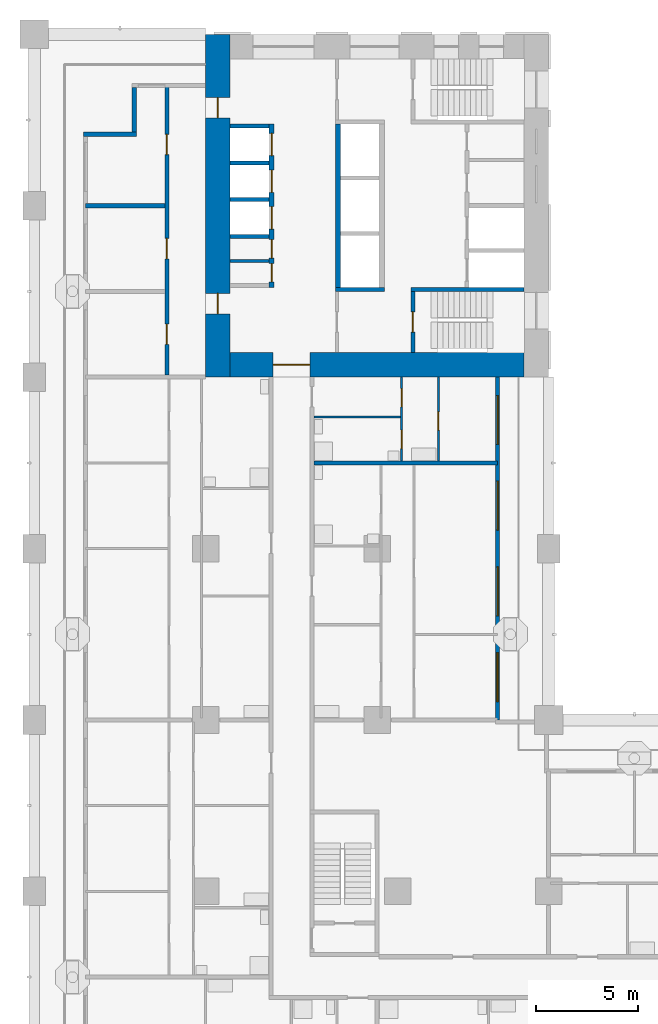
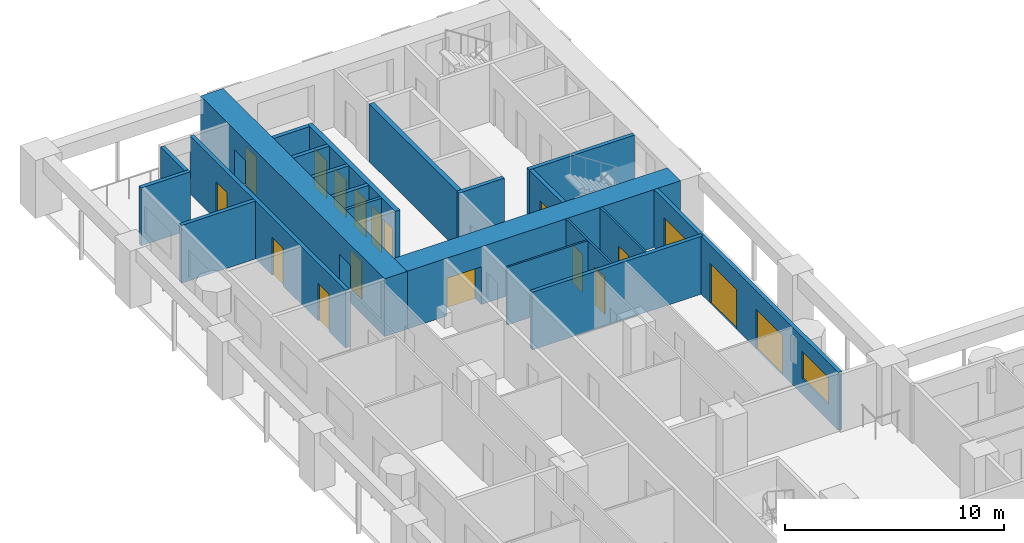
# One storey, part 8 of 20: 21 walls, 18 doors, 1 window, 19 openings.
"""IFC4 building model written with IfcOpenShell, lengths in metres."""

from ifc_helpers import new_model, si_unit, direction, frame, frame_2d, origin, place, context, subcontext, project, spatial, rectangle, extrude, material, layer, layer_set, type_object, element, fill, save


model = new_model("IFC4")

# Units and contexts
model_context = context("Model", 3, precision=1e-05, world=origin(), true_north=direction((0.0, 1.0)))
body_context = subcontext(model_context, "Body", "Model", "MODEL_VIEW")
ifc_project = project(units=[si_unit("LENGTHUNIT", "METRE"), si_unit("AREAUNIT", "SQUARE_METRE"), si_unit("VOLUMEUNIT", "CUBIC_METRE"), si_unit("PLANEANGLEUNIT", "RADIAN"), si_unit("MASSUNIT", "GRAM", prefix="KILO")], contexts=[model_context])

# Site, building, storey
site_placement = place(None, origin())
site = spatial("IfcSite", under=ifc_project, at=site_placement, CompositionType="ELEMENT")
building_placement = place(site_placement, origin())
building = spatial("IfcBuilding", under=site, at=building_placement, Name="Vermilion Gate Residences", CompositionType="ELEMENT")
storey_placement = place(building_placement, frame((0.0, 0.0, 35.699951171875)))
storey = spatial("IfcBuildingStorey", under=building, at=storey_placement, Name="L07", CompositionType="ELEMENT", Elevation=35.699951171875)

# Walls
ifc_material_1 = material(Name="Masonry blockwork", Category="masonry")
ifc_layer_1 = layer(ifc_material_1, 0.14990234375)
ifc_layer_set_1 = layer_set([ifc_layer_1], Name="BLOCKWORK PARTITION 150 EI 120")
wall_type_1 = type_object("IfcWallType", Name="BLOCKWORK PARTITION 150 EI 120", PredefinedType="PARTITIONING", material=ifc_layer_set_1)
wall_1_placement = place(storey_placement, frame((9.60009765625, 47.699951171875, 0.0), z_axis=(0.0, 0.0, 1.0), x_axis=(1.0, 0.0, 0.0)))
element("IfcWall", 1, at=wall_1_placement, inside=storey, type_object=wall_type_1, Name="Core room partition B07-SR-P0", PredefinedType="PARTITIONING", context=body_context, shape_type="SweptSolid", body=[
    extrude(rectangle(XDim=1.89990234375, YDim=0.14990234375, at=frame_2d((0.949951171875, 0.0))), origin(), (0.0, 0.0, 1.0), 3.219970703125),
])
ifc_material_2 = material(Name="Insulated steel stud wall with terracotta rainscreen", Category="masonry")
ifc_layer_2 = layer(ifc_material_2, 0.199951171875)
ifc_layer_set_2 = layer_set([ifc_layer_2], Name="EXTERNAL WALL 200 TERRACOTTA RAINSCREEN")
wall_type_2 = type_object("IfcWallType", Name="EXTERNAL WALL 200 TERRACOTTA RAINSCREEN", PredefinedType="SOLIDWALL", material=ifc_layer_set_2)
wall_2_placement = place(storey_placement, frame((4.89990234375, 56.199951171875, 0.0), z_axis=(0.0, 0.0, 1.0), x_axis=(0.0, -1.0, 0.0)))
element("IfcWall", 2, at=wall_2_placement, inside=storey, type_object=wall_type_2, Name="External wall", PredefinedType="SOLIDWALL", context=body_context, shape_type="SweptSolid", body=[
    extrude(rectangle(XDim=2.199951171875, YDim=0.199951171875, at=frame_2d((1.10009765625, 0.0))), origin(), (0.0, 0.0, 1.0), 3.219970703125),
])
wall_3_placement = place(storey_placement, frame((5.0, 53.89990234375, 0.0), z_axis=(0.0, 0.0, 1.0), x_axis=(-1.0, 0.0, 0.0)))
element("IfcWall", 3, at=wall_3_placement, inside=storey, type_object=wall_type_2, Name="External wall", PredefinedType="SOLIDWALL", context=body_context, shape_type="SweptSolid", body=[
    extrude(rectangle(XDim=2.60009765625, YDim=0.199951171875, at=frame_2d((1.300048828125, 0.0))), origin(), (0.0, 0.0, 1.0), 3.219970703125),
])

# Wall, openings, doors, window
wall_4_placement = place(storey_placement, frame((22.699951171875, 25.199951171875, 0.0), z_axis=(0.0, 0.0, 1.0), x_axis=(0.0, 1.0, 0.0)))
wall_4 = element("IfcWall", 4, at=wall_4_placement, inside=storey, type_object=wall_type_2, Name="External wall", PredefinedType="SOLIDWALL", context=body_context, shape_type="SweptSolid", body=[
    extrude(rectangle(XDim=16.800048828125, YDim=0.199951171875, at=frame_2d((8.39990234375, 0.0))), origin(), (0.0, 0.0, 1.0), 3.219970703125),
])
opening_1_placement = place(wall_4_placement, frame((0.89990234375, 0.0, 0.89990234375)))
opening_1 = element("IfcOpeningElement", 5, at=opening_1_placement, cuts=wall_4, Name="Opening WE07037", PredefinedType="OPENING", context=body_context, shape_type="SweptSolid", body=[
    extrude(rectangle(XDim=2.39990234375, YDim=1.5, at=frame_2d((1.199951171875, 0.75))), frame((0.0, 0.10986328125, 0.0), z_axis=(0.0, -1.0, 0.0), x_axis=(1.0, 0.0, 0.0)), (0.0, 0.0, 1.0), 0.219970703125),
])
opening_2_placement = place(wall_4_placement, frame((5.10009765625, 0.0, 0.0)))
opening_2 = element("IfcOpeningElement", 6, at=opening_2_placement, cuts=wall_4, Name="Opening DE07038", PredefinedType="OPENING", context=body_context, shape_type="SweptSolid", body=[
    extrude(rectangle(XDim=2.39990234375, YDim=2.199951171875, at=frame_2d((1.199951171875, 1.10009765625))), frame((0.0, 0.10986328125, 0.0), z_axis=(0.0, -1.0, 0.0), x_axis=(1.0, 0.0, 0.0)), (0.0, 0.0, 1.0), 0.219970703125),
])
opening_3_placement = place(wall_4_placement, frame((9.300048828125, 0.0, 0.0)))
opening_3 = element("IfcOpeningElement", 7, at=opening_3_placement, cuts=wall_4, Name="Opening DE07039", PredefinedType="OPENING", context=body_context, shape_type="SweptSolid", body=[
    extrude(rectangle(XDim=2.39990234375, YDim=2.199951171875, at=frame_2d((1.199951171875, 1.10009765625))), frame((0.0, 0.10986328125, 0.0), z_axis=(0.0, -1.0, 0.0), x_axis=(1.0, 0.0, 0.0)), (0.0, 0.0, 1.0), 0.219970703125),
])
opening_4_placement = place(wall_4_placement, frame((13.5, 0.0, 0.0)))
opening_4 = element("IfcOpeningElement", 8, at=opening_4_placement, cuts=wall_4, Name="Opening DE07040", PredefinedType="OPENING", context=body_context, shape_type="SweptSolid", body=[
    extrude(rectangle(XDim=2.39990234375, YDim=2.199951171875, at=frame_2d((1.199951171875, 1.10009765625))), frame((0.0, 0.10986328125, 0.0), z_axis=(0.0, -1.0, 0.0), x_axis=(1.0, 0.0, 0.0)), (0.0, 0.0, 1.0), 0.219970703125),
])
ifc_material_3 = material(Name="Aluminium and clear glass", Category="aluminium")
door_type_1 = type_object("IfcDoorType", Name="SLIDING GLAZED DOOR 2400 X 2200", OperationType="DOUBLE_DOOR_SLIDING", PredefinedType="DOOR", material=ifc_material_3)
door_1_placement = place(opening_2_placement, origin())
door_1 = element("IfcDoor", 9, at=door_1_placement, inside=storey, type_object=door_type_1, Name="Loggia sliding door", OperationType="DOUBLE_DOOR_SLIDING", OverallHeight=2.199951171875, OverallWidth=2.39990234375, PredefinedType="DOOR", context=body_context, shape_type="SweptSolid", body=[
    extrude(rectangle(XDim=2.39990234375, YDim=2.199951171875, at=frame_2d((1.199951171875, 1.10009765625))), frame((0.0, 0.02490234375, 0.0), z_axis=(0.0, -1.0, 0.0), x_axis=(1.0, 0.0, 0.0)), (0.0, 0.0, 1.0), 0.050048828125),
])
fill(opening_2, door_1)
door_2_placement = place(opening_3_placement, origin())
door_2 = element("IfcDoor", 10, at=door_2_placement, inside=storey, type_object=door_type_1, Name="Loggia sliding door", OperationType="DOUBLE_DOOR_SLIDING", OverallHeight=2.199951171875, OverallWidth=2.39990234375, PredefinedType="DOOR", context=body_context, shape_type="SweptSolid", body=[
    extrude(rectangle(XDim=2.39990234375, YDim=2.199951171875, at=frame_2d((1.199951171875, 1.10009765625))), frame((0.0, 0.02490234375, 0.0), z_axis=(0.0, -1.0, 0.0), x_axis=(1.0, 0.0, 0.0)), (0.0, 0.0, 1.0), 0.050048828125),
])
fill(opening_3, door_2)
door_3_placement = place(opening_4_placement, origin())
door_3 = element("IfcDoor", 11, at=door_3_placement, inside=storey, type_object=door_type_1, Name="Loggia sliding door", OperationType="DOUBLE_DOOR_SLIDING", OverallHeight=2.199951171875, OverallWidth=2.39990234375, PredefinedType="DOOR", context=body_context, shape_type="SweptSolid", body=[
    extrude(rectangle(XDim=2.39990234375, YDim=2.199951171875, at=frame_2d((1.199951171875, 1.10009765625))), frame((0.0, 0.02490234375, 0.0), z_axis=(0.0, -1.0, 0.0), x_axis=(1.0, 0.0, 0.0)), (0.0, 0.0, 1.0), 0.050048828125),
])
fill(opening_4, door_3)
ifc_material_4 = material(Name="Aluminium and clear glass", Category="aluminium")
window_type = type_object("IfcWindowType", Name="WINDOW 2400 X 1500", PartitioningType="SINGLE_PANEL", PredefinedType="WINDOW", material=ifc_material_4)
window_placement = place(opening_1_placement, origin())
window = element("IfcWindow", 12, at=window_placement, inside=storey, type_object=window_type, Name="Window", OverallHeight=1.5, OverallWidth=2.39990234375, PartitioningType="SINGLE_PANEL", PredefinedType="WINDOW", context=body_context, shape_type="SweptSolid", body=[
    extrude(rectangle(XDim=2.39990234375, YDim=1.5, at=frame_2d((1.199951171875, 0.75))), frame((0.0, 0.030029296875, 0.0), z_axis=(0.0, -1.0, 0.0), x_axis=(1.0, 0.0, 0.0)), (0.0, 0.0, 1.0), 0.06005859375),
])
fill(opening_1, window)

# Wall
ifc_material_5 = material(Name="Plasterboard on steel studs", Category="steel")
ifc_layer_3 = layer(ifc_material_5, 0.10009765625)
ifc_layer_set_3 = layer_set([ifc_layer_3], Name="PARTITION 100")
wall_type_3 = type_object("IfcWallType", Name="PARTITION 100", PredefinedType="PARTITIONING", material=ifc_layer_set_3)
wall_5_placement = place(storey_placement, frame((13.699951171875, 40.0400390625, 0.0), z_axis=(0.0, 0.0, 1.0), x_axis=(1.0, 0.0, 0.0)))
element("IfcWall", 13, at=wall_5_placement, inside=storey, type_object=wall_type_3, Name="Partition", PredefinedType="PARTITIONING", context=body_context, shape_type="SweptSolid", body=[
    extrude(rectangle(XDim=4.25, YDim=0.10009765625, at=frame_2d((2.125, 0.0))), origin(), (0.0, 0.0, 1.0), 3.219970703125),
])

# Wall, openings, doors
wall_6_placement = place(storey_placement, frame((18.0, 37.89990234375, 0.0), z_axis=(0.0, 0.0, 1.0), x_axis=(0.0, 1.0, 0.0)))
wall_6 = element("IfcWall", 14, at=wall_6_placement, inside=storey, type_object=wall_type_3, Name="Partition", PredefinedType="PARTITIONING", context=body_context, shape_type="SweptSolid", body=[
    extrude(rectangle(XDim=4.10009765625, YDim=0.10009765625, at=frame_2d((2.050048828125, 0.0))), origin(), (0.0, 0.0, 1.0), 3.219970703125),
])
opening_5_placement = place(wall_6_placement, frame((2.639892578125, 0.0, 0.0)))
opening_5 = element("IfcOpeningElement", 15, at=opening_5_placement, cuts=wall_6, Name="Opening DA07060", PredefinedType="OPENING", context=body_context, shape_type="SweptSolid", body=[
    extrude(rectangle(XDim=0.89990234375, YDim=2.10009765625, at=frame_2d((0.449951171875, 1.050048828125))), frame((0.0, 0.06005859375, 0.0), z_axis=(0.0, -1.0, 0.0), x_axis=(1.0, 0.0, 0.0)), (0.0, 0.0, 1.0), 0.1201171875),
])
opening_6_placement = place(wall_6_placement, frame((0.60009765625, 0.0, 0.0)))
opening_6 = element("IfcOpeningElement", 16, at=opening_6_placement, cuts=wall_6, Name="Opening DA07061", PredefinedType="OPENING", context=body_context, shape_type="SweptSolid", body=[
    extrude(rectangle(XDim=0.89990234375, YDim=2.10009765625, at=frame_2d((0.449951171875, 1.050048828125))), frame((0.0, 0.06005859375, 0.0), z_axis=(0.0, -1.0, 0.0), x_axis=(1.0, 0.0, 0.0)), (0.0, 0.0, 1.0), 0.1201171875),
])
ifc_material_6 = material(Name="Timber", Category="wood")
door_type_2 = type_object("IfcDoorType", Name="INTERIOR DOOR 900 X 2100", OperationType="SINGLE_SWING_LEFT", PredefinedType="DOOR", material=ifc_material_6)
door_4_placement = place(opening_5_placement, frame((0.89990234375, 0.0, 0.0), z_axis=(0.0, 0.0, 1.0), x_axis=(-1.0, 0.0, 0.0)))
door_4 = element("IfcDoor", 17, at=door_4_placement, inside=storey, type_object=door_type_2, Name="Interior door", OperationType="SINGLE_SWING_LEFT", OverallHeight=2.10009765625, OverallWidth=0.89990234375, PredefinedType="DOOR", context=body_context, shape_type="SweptSolid", body=[
    extrude(rectangle(XDim=0.89990234375, YDim=2.10009765625, at=frame_2d((0.449951171875, 1.050048828125))), frame((0.0, 0.02490234375, 0.0), z_axis=(0.0, -1.0, 0.0), x_axis=(1.0, 0.0, 0.0)), (0.0, 0.0, 1.0), 0.050048828125),
])
fill(opening_5, door_4)
door_5_placement = place(opening_6_placement, frame((0.89990234375, 0.0, 0.0), z_axis=(0.0, 0.0, 1.0), x_axis=(-1.0, 0.0, 0.0)))
door_5 = element("IfcDoor", 18, at=door_5_placement, inside=storey, type_object=door_type_2, Name="Interior door", OperationType="SINGLE_SWING_RIGHT", OverallHeight=2.10009765625, OverallWidth=0.89990234375, PredefinedType="DOOR", context=body_context, shape_type="SweptSolid", body=[
    extrude(rectangle(XDim=0.89990234375, YDim=2.10009765625, at=frame_2d((0.449951171875, 1.050048828125))), frame((0.0, 0.02490234375, 0.0), z_axis=(0.0, -1.0, 0.0), x_axis=(1.0, 0.0, 0.0)), (0.0, 0.0, 1.0), 0.050048828125),
])
fill(opening_6, door_5)

# Wall, opening, door
wall_7_placement = place(storey_placement, frame((19.800048828125, 37.89990234375, 0.0), z_axis=(0.0, 0.0, 1.0), x_axis=(0.0, 1.0, 0.0)))
wall_7 = element("IfcWall", 19, at=wall_7_placement, inside=storey, type_object=wall_type_3, Name="Partition", PredefinedType="PARTITIONING", context=body_context, shape_type="SweptSolid", body=[
    extrude(rectangle(XDim=4.10009765625, YDim=0.10009765625, at=frame_2d((2.050048828125, 0.0))), origin(), (0.0, 0.0, 1.0), 3.219970703125),
])
opening_7_placement = place(wall_7_placement, frame((1.5, 0.0, 0.0)))
opening_7 = element("IfcOpeningElement", 20, at=opening_7_placement, cuts=wall_7, Name="Opening DA07064", PredefinedType="OPENING", context=body_context, shape_type="SweptSolid", body=[
    extrude(rectangle(XDim=0.89990234375, YDim=2.10009765625, at=frame_2d((0.449951171875, 1.050048828125))), frame((0.0, 0.06005859375, 0.0), z_axis=(0.0, -1.0, 0.0), x_axis=(1.0, 0.0, 0.0)), (0.0, 0.0, 1.0), 0.1201171875),
])
door_6_placement = place(opening_7_placement, origin())
door_6 = element("IfcDoor", 21, at=door_6_placement, inside=storey, type_object=door_type_2, Name="Interior door", OperationType="SINGLE_SWING_LEFT", OverallHeight=2.10009765625, OverallWidth=0.89990234375, PredefinedType="DOOR", context=body_context, shape_type="SweptSolid", body=[
    extrude(rectangle(XDim=0.89990234375, YDim=2.10009765625, at=frame_2d((0.449951171875, 1.050048828125))), frame((0.0, 0.02490234375, 0.0), z_axis=(0.0, -1.0, 0.0), x_axis=(1.0, 0.0, 0.0)), (0.0, 0.0, 1.0), 0.050048828125),
])
fill(opening_7, door_6)

# Walls
ifc_material_7 = material(Name="Fire-rated plasterboard on steel studs", Category="steel")
ifc_layer_4 = layer(ifc_material_7, 0.199951171875)
ifc_layer_set_4 = layer_set([ifc_layer_4], Name="PARTY WALL 200 EI 120")
wall_type_4 = type_object("IfcWallType", Name="PARTY WALL 200 EI 120", PredefinedType="PARTITIONING", material=ifc_layer_set_4)
wall_8_placement = place(storey_placement, frame((13.699951171875, 37.800048828125, 0.0), z_axis=(0.0, 0.0, 1.0), x_axis=(1.0, 0.0, 0.0)))
element("IfcWall", 22, at=wall_8_placement, inside=storey, type_object=wall_type_4, Name="Party and corridor wall", PredefinedType="PARTITIONING", context=body_context, shape_type="SweptSolid", body=[
    extrude(rectangle(XDim=9.0, YDim=0.199951171875, at=frame_2d((4.5, 0.0))), origin(), (0.0, 0.0, 1.0), 3.219970703125),
])
wall_9_placement = place(storey_placement, frame((2.5, 50.39990234375, 0.0), z_axis=(0.0, 0.0, 1.0), x_axis=(1.0, 0.0, 0.0)))
element("IfcWall", 23, at=wall_9_placement, inside=storey, type_object=wall_type_4, Name="Party and corridor wall", PredefinedType="PARTITIONING", context=body_context, shape_type="SweptSolid", body=[
    extrude(rectangle(XDim=3.89990234375, YDim=0.199951171875, at=frame_2d((1.949951171875, 0.0))), origin(), (0.0, 0.0, 1.0), 3.219970703125),
])

# Wall, openings, doors
wall_10_placement = place(storey_placement, frame((6.5, 42.10009765625, 0.0), z_axis=(0.0, 0.0, 1.0), x_axis=(0.0, 1.0, 0.0)))
wall_10 = element("IfcWall", 24, at=wall_10_placement, inside=storey, type_object=wall_type_4, Name="Party and corridor wall", PredefinedType="PARTITIONING", context=body_context, shape_type="SweptSolid", body=[
    extrude(rectangle(XDim=14.199951171875, YDim=0.199951171875, at=frame_2d((7.10009765625, 0.0))), origin(), (0.0, 0.0, 1.0), 3.219970703125),
])
opening_8_placement = place(wall_10_placement, frame((1.5, 0.0, 0.0)))
opening_8 = element("IfcOpeningElement", 25, at=opening_8_placement, cuts=wall_10, Name="Opening DA07036", PredefinedType="OPENING", context=body_context, shape_type="SweptSolid", body=[
    extrude(rectangle(XDim=1.0, YDim=2.10009765625, at=frame_2d((0.5, 1.050048828125))), frame((0.0, 0.10986328125, 0.0), z_axis=(0.0, -1.0, 0.0), x_axis=(1.0, 0.0, 0.0)), (0.0, 0.0, 1.0), 0.219970703125),
])
opening_9_placement = place(wall_10_placement, frame((5.699951171875, 0.0, 0.0)))
opening_9 = element("IfcOpeningElement", 26, at=opening_9_placement, cuts=wall_10, Name="Opening DA07037", PredefinedType="OPENING", context=body_context, shape_type="SweptSolid", body=[
    extrude(rectangle(XDim=1.0, YDim=2.10009765625, at=frame_2d((0.5, 1.050048828125))), frame((0.0, 0.10986328125, 0.0), z_axis=(0.0, -1.0, 0.0), x_axis=(1.0, 0.0, 0.0)), (0.0, 0.0, 1.0), 0.219970703125),
])
opening_10_placement = place(wall_10_placement, frame((10.800048828125, 0.0, 0.0)))
opening_10 = element("IfcOpeningElement", 27, at=opening_10_placement, cuts=wall_10, Name="Opening DA07038", PredefinedType="OPENING", context=body_context, shape_type="SweptSolid", body=[
    extrude(rectangle(XDim=1.0, YDim=2.10009765625, at=frame_2d((0.5, 1.050048828125))), frame((0.0, 0.10986328125, 0.0), z_axis=(0.0, -1.0, 0.0), x_axis=(1.0, 0.0, 0.0)), (0.0, 0.0, 1.0), 0.219970703125),
])
ifc_material_8 = material(Name="Steel", Category="steel")
door_type_3 = type_object("IfcDoorType", Name="ENTRANCE DOOR 1000 X 2100 FD30", OperationType="SINGLE_SWING_LEFT", PredefinedType="DOOR", material=ifc_material_8)
door_7_placement = place(opening_8_placement, origin())
door_7 = element("IfcDoor", 28, at=door_7_placement, inside=storey, type_object=door_type_3, Name="Entrance door", OperationType="SINGLE_SWING_LEFT", OverallHeight=2.10009765625, OverallWidth=1.0, PredefinedType="DOOR", context=body_context, shape_type="SweptSolid", body=[
    extrude(rectangle(XDim=1.0, YDim=2.10009765625, at=frame_2d((0.5, 1.050048828125))), frame((0.0, 0.02490234375, 0.0), z_axis=(0.0, -1.0, 0.0), x_axis=(1.0, 0.0, 0.0)), (0.0, 0.0, 1.0), 0.050048828125),
])
fill(opening_8, door_7)
door_8_placement = place(opening_9_placement, origin())
door_8 = element("IfcDoor", 29, at=door_8_placement, inside=storey, type_object=door_type_3, Name="Entrance door", OperationType="SINGLE_SWING_RIGHT", OverallHeight=2.10009765625, OverallWidth=1.0, PredefinedType="DOOR", context=body_context, shape_type="SweptSolid", body=[
    extrude(rectangle(XDim=1.0, YDim=2.10009765625, at=frame_2d((0.5, 1.050048828125))), frame((0.0, 0.02490234375, 0.0), z_axis=(0.0, -1.0, 0.0), x_axis=(1.0, 0.0, 0.0)), (0.0, 0.0, 1.0), 0.050048828125),
])
fill(opening_9, door_8)
door_9_placement = place(opening_10_placement, origin())
door_9 = element("IfcDoor", 30, at=door_9_placement, inside=storey, type_object=door_type_3, Name="Entrance door", OperationType="SINGLE_SWING_RIGHT", OverallHeight=2.10009765625, OverallWidth=1.0, PredefinedType="DOOR", context=body_context, shape_type="SweptSolid", body=[
    extrude(rectangle(XDim=1.0, YDim=2.10009765625, at=frame_2d((0.5, 1.050048828125))), frame((0.0, 0.02490234375, 0.0), z_axis=(0.0, -1.0, 0.0), x_axis=(1.0, 0.0, 0.0)), (0.0, 0.0, 1.0), 0.050048828125),
])
fill(opening_10, door_9)

# Walls
ifc_material_9 = material(Name="Concrete C60", Category="concrete")
ifc_layer_5 = layer(ifc_material_9, 0.199951171875)
ifc_layer_set_5 = layer_set([ifc_layer_5], Name="RC CORE INTERNAL WALL 200 C60")
wall_type_5 = type_object("IfcWallType", Name="RC CORE INTERNAL WALL 200 C60", PredefinedType="SHEAR", material=ifc_layer_set_5)
for number, where, z_axis, x_axis, name in (
    (31, (9.60009765625, 54.300048828125, 0.0), (0.0, 0.0, 1.0), (1.0, 0.0, 0.0), "Core internal wall B07-LR-D0"),
    (32, (9.60009765625, 52.5, 0.0), (0.0, 0.0, 1.0), (1.0, 0.0, 0.0), "Core internal wall B07-LR-D1"),
    (33, (9.60009765625, 50.699951171875, 0.0), (0.0, 0.0, 1.0), (1.0, 0.0, 0.0), "Core internal wall B07-LR-D2"),
    (34, (9.60009765625, 48.89990234375, 0.0), (0.0, 0.0, 1.0), (1.0, 0.0, 0.0), "Core internal wall B07-LR-D3"),
):
    element("IfcWall", number, at=place(storey_placement, frame(where, z_axis=z_axis, x_axis=x_axis)), inside=storey, type_object=wall_type_5, Name=name, PredefinedType="SHEAR", context=body_context, shape_type="SweptSolid", body=[
        extrude(rectangle(XDim=1.89990234375, YDim=0.199951171875, at=frame_2d((0.949951171875, 0.0))), origin(), (0.0, 0.0, 1.0), 3.219970703125),
    ])
wall_11_placement = place(storey_placement, frame((14.75, 46.300048828125, 0.0), z_axis=(0.0, 0.0, 1.0), x_axis=(1.0, 0.0, 0.0)))
element("IfcWall", 35, at=wall_11_placement, inside=storey, type_object=wall_type_5, Name="Core internal wall B07-EDIV1", PredefinedType="SHEAR", context=body_context, shape_type="SweptSolid", body=[
    extrude(rectangle(XDim=2.39990234375, YDim=0.199951171875, at=frame_2d((1.199951171875, 0.0))), origin(), (0.0, 0.0, 1.0), 3.219970703125),
])
wall_12_placement = place(storey_placement, frame((18.449951171875, 46.300048828125, 0.0), z_axis=(0.0, 0.0, 1.0), x_axis=(1.0, 0.0, 0.0)))
element("IfcWall", 36, at=wall_12_placement, inside=storey, type_object=wall_type_5, Name="Core internal wall B07-EDIV2", PredefinedType="SHEAR", context=body_context, shape_type="SweptSolid", body=[
    extrude(rectangle(XDim=5.550048828125, YDim=0.199951171875, at=frame_2d((2.77490234375, 0.0))), origin(), (0.0, 0.0, 1.0), 3.219970703125),
])

# Wall, opening, door
wall_13_placement = place(storey_placement, frame((18.550048828125, 46.199951171875, 0.0), z_axis=(0.0, 0.0, 1.0), x_axis=(0.0, -1.0, 0.0)))
wall_13 = element("IfcWall", 37, at=wall_13_placement, inside=storey, type_object=wall_type_5, Name="Core internal wall B07-STE-S", PredefinedType="SHEAR", context=body_context, shape_type="SweptSolid", body=[
    extrude(rectangle(XDim=3.0, YDim=0.199951171875, at=frame_2d((1.5, 0.0))), origin(), (0.0, 0.0, 1.0), 3.219970703125),
])
opening_11_placement = place(wall_13_placement, frame((1.0, 0.0, 0.0)))
opening_11 = element("IfcOpeningElement", 38, at=opening_11_placement, cuts=wall_13, Name="Opening DK07116", PredefinedType="OPENING", context=body_context, shape_type="SweptSolid", body=[
    extrude(rectangle(XDim=1.0, YDim=2.10009765625, at=frame_2d((0.5, 1.050048828125))), frame((0.0, 0.10986328125, 0.0), z_axis=(0.0, -1.0, 0.0), x_axis=(1.0, 0.0, 0.0)), (0.0, 0.0, 1.0), 0.219970703125),
])
ifc_material_10 = material(Name="Steel", Category="steel")
door_type_4 = type_object("IfcDoorType", Name="FIRE DOOR FD60 1000 X 2100", OperationType="SINGLE_SWING_LEFT", PredefinedType="DOOR", material=ifc_material_10)
door_10_placement = place(opening_11_placement, origin())
door_10 = element("IfcDoor", 39, at=door_10_placement, inside=storey, type_object=door_type_4, Name="Stair door B07", OperationType="SINGLE_SWING_LEFT", OverallHeight=2.10009765625, OverallWidth=1.0, PredefinedType="DOOR", context=body_context, shape_type="SweptSolid", body=[
    extrude(rectangle(XDim=1.0, YDim=2.10009765625, at=frame_2d((0.5, 1.050048828125))), frame((0.0, 0.02490234375, 0.0), z_axis=(0.0, -1.0, 0.0), x_axis=(1.0, 0.0, 0.0)), (0.0, 0.0, 1.0), 0.050048828125),
])
fill(opening_11, door_10)

# Wall, openings, doors
ifc_material_11 = material(Name="Concrete C80", Category="concrete")
ifc_layer_6 = layer(ifc_material_11, 1.199951171875)
ifc_layer_set_6 = layer_set([ifc_layer_6], Name="RC CORE WALL 1200 C80")
wall_type_6 = type_object("IfcWallType", Name="RC CORE WALL 1200 C80", PredefinedType="SHEAR", material=ifc_layer_set_6)
wall_14_placement = place(storey_placement, frame((9.0, 58.800048828125, 0.0), z_axis=(0.0, 0.0, 1.0), x_axis=(0.0, -1.0, 0.0)))
wall_14 = element("IfcWall", 40, at=wall_14_placement, inside=storey, type_object=wall_type_6, Name="Core wall B07-OUT-B0", PredefinedType="SHEAR", context=body_context, shape_type="SweptSolid", body=[
    extrude(rectangle(XDim=16.800048828125, YDim=1.199951171875, at=frame_2d((8.39990234375, 0.0))), origin(), (0.0, 0.0, 1.0), 3.219970703125),
])
opening_12_placement = place(wall_14_placement, frame((3.10009765625, 0.0, 0.0)))
opening_12 = element("IfcOpeningElement", 41, at=opening_12_placement, cuts=wall_14, Name="Opening DK07101", PredefinedType="OPENING", context=body_context, shape_type="SweptSolid", body=[
    extrude(rectangle(XDim=1.0, YDim=2.10009765625, at=frame_2d((0.5, 1.050048828125))), frame((0.0, 0.60986328125, 0.0), z_axis=(0.0, -1.0, 0.0), x_axis=(1.0, 0.0, 0.0)), (0.0, 0.0, 1.0), 1.219970703125),
])
opening_13_placement = place(wall_14_placement, frame((12.699951171875, 0.0, 0.0)))
opening_13 = element("IfcOpeningElement", 42, at=opening_13_placement, cuts=wall_14, Name="Opening DK07102", PredefinedType="OPENING", context=body_context, shape_type="SweptSolid", body=[
    extrude(rectangle(XDim=1.0, YDim=2.10009765625, at=frame_2d((0.5, 1.050048828125))), frame((0.0, 0.60986328125, 0.0), z_axis=(0.0, -1.0, 0.0), x_axis=(1.0, 0.0, 0.0)), (0.0, 0.0, 1.0), 1.219970703125),
])
door_11_placement = place(opening_12_placement, origin())
door_11 = element("IfcDoor", 43, at=door_11_placement, inside=storey, type_object=door_type_4, Name="Core lobby side door B07", OperationType="SINGLE_SWING_RIGHT", OverallHeight=2.10009765625, OverallWidth=1.0, PredefinedType="DOOR", context=body_context, shape_type="SweptSolid", body=[
    extrude(rectangle(XDim=1.0, YDim=2.10009765625, at=frame_2d((0.5, 1.050048828125))), frame((0.0, 0.02490234375, 0.0), z_axis=(0.0, -1.0, 0.0), x_axis=(1.0, 0.0, 0.0)), (0.0, 0.0, 1.0), 0.050048828125),
])
fill(opening_12, door_11)
door_12_placement = place(opening_13_placement, origin())
door_12 = element("IfcDoor", 44, at=door_12_placement, inside=storey, type_object=door_type_4, Name="Core lobby side door B07", OperationType="SINGLE_SWING_LEFT", OverallHeight=2.10009765625, OverallWidth=1.0, PredefinedType="DOOR", context=body_context, shape_type="SweptSolid", body=[
    extrude(rectangle(XDim=1.0, YDim=2.10009765625, at=frame_2d((0.5, 1.050048828125))), frame((0.0, 0.02490234375, 0.0), z_axis=(0.0, -1.0, 0.0), x_axis=(1.0, 0.0, 0.0)), (0.0, 0.0, 1.0), 0.050048828125),
])
fill(opening_13, door_12)

# Wall, opening, door
wall_15_placement = place(storey_placement, frame((9.60009765625, 42.60009765625, 0.0), z_axis=(0.0, 0.0, 1.0), x_axis=(1.0, 0.0, 0.0)))
wall_15 = element("IfcWall", 45, at=wall_15_placement, inside=storey, type_object=wall_type_6, Name="Core wall B07-OUT-BK", PredefinedType="SHEAR", context=body_context, shape_type="SweptSolid", body=[
    extrude(rectangle(XDim=14.39990234375, YDim=1.199951171875, at=frame_2d((7.199951171875, 0.0))), origin(), (0.0, 0.0, 1.0), 3.219970703125),
])
opening_14_placement = place(wall_15_placement, frame((2.10009765625, 0.0, 0.0)))
opening_14 = element("IfcOpeningElement", 46, at=opening_14_placement, cuts=wall_15, Name="Opening DK07103", PredefinedType="OPENING", context=body_context, shape_type="SweptSolid", body=[
    extrude(rectangle(XDim=1.800048828125, YDim=2.10009765625, at=frame_2d((0.89990234375, 1.050048828125))), frame((0.0, 0.60986328125, 0.0), z_axis=(0.0, -1.0, 0.0), x_axis=(1.0, 0.0, 0.0)), (0.0, 0.0, 1.0), 1.219970703125),
])
ifc_material_12 = material(Name="Steel", Category="steel")
door_type_5 = type_object("IfcDoorType", Name="CORE LOBBY DOOR FD60 1800 X 2100", OperationType="DOUBLE_DOOR_SINGLE_SWING", PredefinedType="DOOR", material=ifc_material_12)
door_13_placement = place(opening_14_placement, origin())
door_13 = element("IfcDoor", 47, at=door_13_placement, inside=storey, type_object=door_type_5, Name="Core lobby door B07", OperationType="DOUBLE_DOOR_SINGLE_SWING", OverallHeight=2.10009765625, OverallWidth=1.800048828125, PredefinedType="DOOR", context=body_context, shape_type="SweptSolid", body=[
    extrude(rectangle(XDim=1.800048828125, YDim=2.10009765625, at=frame_2d((0.89990234375, 1.050048828125))), frame((0.0, 0.02490234375, 0.0), z_axis=(0.0, -1.0, 0.0), x_axis=(1.0, 0.0, 0.0)), (0.0, 0.0, 1.0), 0.050048828125),
])
fill(opening_14, door_13)

# Wall, openings, doors
ifc_material_13 = material(Name="Concrete C60", Category="concrete")
ifc_layer_7 = layer(ifc_material_13, 0.25)
ifc_layer_set_7 = layer_set([ifc_layer_7], Name="RC LIFT SHAFT WALL 250 C60")
wall_type_7 = type_object("IfcWallType", Name="RC LIFT SHAFT WALL 250 C60", PredefinedType="SHEAR", material=ifc_layer_set_7)
wall_16_placement = place(storey_placement, frame((11.625, 54.39990234375, 0.0), z_axis=(0.0, 0.0, 1.0), x_axis=(0.0, -1.0, 0.0)))
wall_16 = element("IfcWall", 48, at=wall_16_placement, inside=storey, type_object=wall_type_7, Name="Lift shaft wall B07-LR-F", PredefinedType="SHEAR", context=body_context, shape_type="SweptSolid", body=[
    extrude(rectangle(XDim=8.0, YDim=0.25, at=frame_2d((4.0, 0.0))), origin(), (0.0, 0.0, 1.0), 3.219970703125),
])
opening_15_placement = place(wall_16_placement, frame((0.449951171875, 0.0, 0.0)))
opening_15 = element("IfcOpeningElement", 49, at=opening_15_placement, cuts=wall_16, Name="Opening LD", PredefinedType="OPENING", context=body_context, shape_type="SweptSolid", body=[
    extrude(rectangle(XDim=1.10009765625, YDim=2.10009765625, at=frame_2d((0.550048828125, 1.050048828125))), frame((0.0, 0.135009765625, 0.0), z_axis=(0.0, -1.0, 0.0), x_axis=(1.0, 0.0, 0.0)), (0.0, 0.0, 1.0), 0.27001953125),
])
opening_16_placement = place(wall_16_placement, frame((2.25, 0.0, 0.0)))
opening_16 = element("IfcOpeningElement", 50, at=opening_16_placement, cuts=wall_16, Name="Opening LD", PredefinedType="OPENING", context=body_context, shape_type="SweptSolid", body=[
    extrude(rectangle(XDim=1.10009765625, YDim=2.10009765625, at=frame_2d((0.550048828125, 1.050048828125))), frame((0.0, 0.135009765625, 0.0), z_axis=(0.0, -1.0, 0.0), x_axis=(1.0, 0.0, 0.0)), (0.0, 0.0, 1.0), 0.27001953125),
])
opening_17_placement = place(wall_16_placement, frame((4.050048828125, 0.0, 0.0)))
opening_17 = element("IfcOpeningElement", 51, at=opening_17_placement, cuts=wall_16, Name="Opening LD", PredefinedType="OPENING", context=body_context, shape_type="SweptSolid", body=[
    extrude(rectangle(XDim=1.10009765625, YDim=2.10009765625, at=frame_2d((0.550048828125, 1.050048828125))), frame((0.0, 0.135009765625, 0.0), z_axis=(0.0, -1.0, 0.0), x_axis=(1.0, 0.0, 0.0)), (0.0, 0.0, 1.0), 0.27001953125),
])
opening_18_placement = place(wall_16_placement, frame((5.66259765625, 0.0, 0.0)))
opening_18 = element("IfcOpeningElement", 52, at=opening_18_placement, cuts=wall_16, Name="Opening DK07107", PredefinedType="OPENING", context=body_context, shape_type="SweptSolid", body=[
    extrude(rectangle(XDim=0.89990234375, YDim=2.10009765625, at=frame_2d((0.449951171875, 1.050048828125))), frame((0.0, 0.135009765625, 0.0), z_axis=(0.0, -1.0, 0.0), x_axis=(1.0, 0.0, 0.0)), (0.0, 0.0, 1.0), 0.27001953125),
])
opening_19_placement = place(wall_16_placement, frame((6.83740234375, 0.0, 0.0)))
opening_19 = element("IfcOpeningElement", 53, at=opening_19_placement, cuts=wall_16, Name="Opening DK07108", PredefinedType="OPENING", context=body_context, shape_type="SweptSolid", body=[
    extrude(rectangle(XDim=0.89990234375, YDim=2.10009765625, at=frame_2d((0.449951171875, 1.050048828125))), frame((0.0, 0.135009765625, 0.0), z_axis=(0.0, -1.0, 0.0), x_axis=(1.0, 0.0, 0.0)), (0.0, 0.0, 1.0), 0.27001953125),
])
ifc_material_14 = material(Name="Stainless steel", Category="steel")
door_type_6 = type_object("IfcDoorType", Name="LIFT LANDING DOOR E60 1100 X 2100", OperationType="DOUBLE_DOOR_SLIDING", PredefinedType="DOOR", material=ifc_material_14)
door_14_placement = place(opening_15_placement, origin())
door_14 = element("IfcDoor", 54, at=door_14_placement, inside=storey, type_object=door_type_6, Name="Lift landing door LRB1", OperationType="DOUBLE_DOOR_SLIDING", OverallHeight=2.10009765625, OverallWidth=1.10009765625, PredefinedType="DOOR", context=body_context, shape_type="SweptSolid", body=[
    extrude(rectangle(XDim=1.10009765625, YDim=2.10009765625, at=frame_2d((0.550048828125, 1.050048828125))), frame((0.0, 0.02490234375, 0.0), z_axis=(0.0, -1.0, 0.0), x_axis=(1.0, 0.0, 0.0)), (0.0, 0.0, 1.0), 0.050048828125),
])
fill(opening_15, door_14)
door_15_placement = place(opening_16_placement, origin())
door_15 = element("IfcDoor", 55, at=door_15_placement, inside=storey, type_object=door_type_6, Name="Lift landing door LRB2", OperationType="DOUBLE_DOOR_SLIDING", OverallHeight=2.10009765625, OverallWidth=1.10009765625, PredefinedType="DOOR", context=body_context, shape_type="SweptSolid", body=[
    extrude(rectangle(XDim=1.10009765625, YDim=2.10009765625, at=frame_2d((0.550048828125, 1.050048828125))), frame((0.0, 0.02490234375, 0.0), z_axis=(0.0, -1.0, 0.0), x_axis=(1.0, 0.0, 0.0)), (0.0, 0.0, 1.0), 0.050048828125),
])
fill(opening_16, door_15)
door_16_placement = place(opening_17_placement, origin())
door_16 = element("IfcDoor", 56, at=door_16_placement, inside=storey, type_object=door_type_6, Name="Lift landing door LRB3", OperationType="DOUBLE_DOOR_SLIDING", OverallHeight=2.10009765625, OverallWidth=1.10009765625, PredefinedType="DOOR", context=body_context, shape_type="SweptSolid", body=[
    extrude(rectangle(XDim=1.10009765625, YDim=2.10009765625, at=frame_2d((0.550048828125, 1.050048828125))), frame((0.0, 0.02490234375, 0.0), z_axis=(0.0, -1.0, 0.0), x_axis=(1.0, 0.0, 0.0)), (0.0, 0.0, 1.0), 0.050048828125),
])
fill(opening_17, door_16)
ifc_material_15 = material(Name="Steel", Category="steel")
door_type_7 = type_object("IfcDoorType", Name="SERVICE ROOM DOOR FD60 900 X 2100", OperationType="SINGLE_SWING_LEFT", PredefinedType="DOOR", material=ifc_material_15)
door_17_placement = place(opening_18_placement, frame((0.89990234375, 0.0, 0.0), z_axis=(0.0, 0.0, 1.0), x_axis=(-1.0, 0.0, 0.0)))
door_17 = element("IfcDoor", 57, at=door_17_placement, inside=storey, type_object=door_type_7, Name="Refuse room B07", OperationType="SINGLE_SWING_LEFT", OverallHeight=2.10009765625, OverallWidth=0.89990234375, PredefinedType="DOOR", context=body_context, shape_type="SweptSolid", body=[
    extrude(rectangle(XDim=0.89990234375, YDim=2.10009765625, at=frame_2d((0.449951171875, 1.050048828125))), frame((0.0, 0.02490234375, 0.0), z_axis=(0.0, -1.0, 0.0), x_axis=(1.0, 0.0, 0.0)), (0.0, 0.0, 1.0), 0.050048828125),
])
fill(opening_18, door_17)
door_18_placement = place(opening_19_placement, frame((0.89990234375, 0.0, 0.0), z_axis=(0.0, 0.0, 1.0), x_axis=(-1.0, 0.0, 0.0)))
door_18 = element("IfcDoor", 58, at=door_18_placement, inside=storey, type_object=door_type_7, Name="Parcel room B07", OperationType="SINGLE_SWING_LEFT", OverallHeight=2.10009765625, OverallWidth=0.89990234375, PredefinedType="DOOR", context=body_context, shape_type="SweptSolid", body=[
    extrude(rectangle(XDim=0.89990234375, YDim=2.10009765625, at=frame_2d((0.449951171875, 1.050048828125))), frame((0.0, 0.02490234375, 0.0), z_axis=(0.0, -1.0, 0.0), x_axis=(1.0, 0.0, 0.0)), (0.0, 0.0, 1.0), 0.050048828125),
])
fill(opening_19, door_18)

# Wall
wall_17_placement = place(storey_placement, frame((14.875, 54.39990234375, 0.0), z_axis=(0.0, 0.0, 1.0), x_axis=(0.0, -1.0, 0.0)))
element("IfcWall", 59, at=wall_17_placement, inside=storey, type_object=wall_type_7, Name="Lift shaft wall B07-HR-F", PredefinedType="SHEAR", context=body_context, shape_type="SweptSolid", body=[
    extrude(rectangle(XDim=8.0, YDim=0.25, at=frame_2d((4.0, 0.0))), origin(), (0.0, 0.0, 1.0), 3.219970703125),
])

save(model, "model.ifc")
